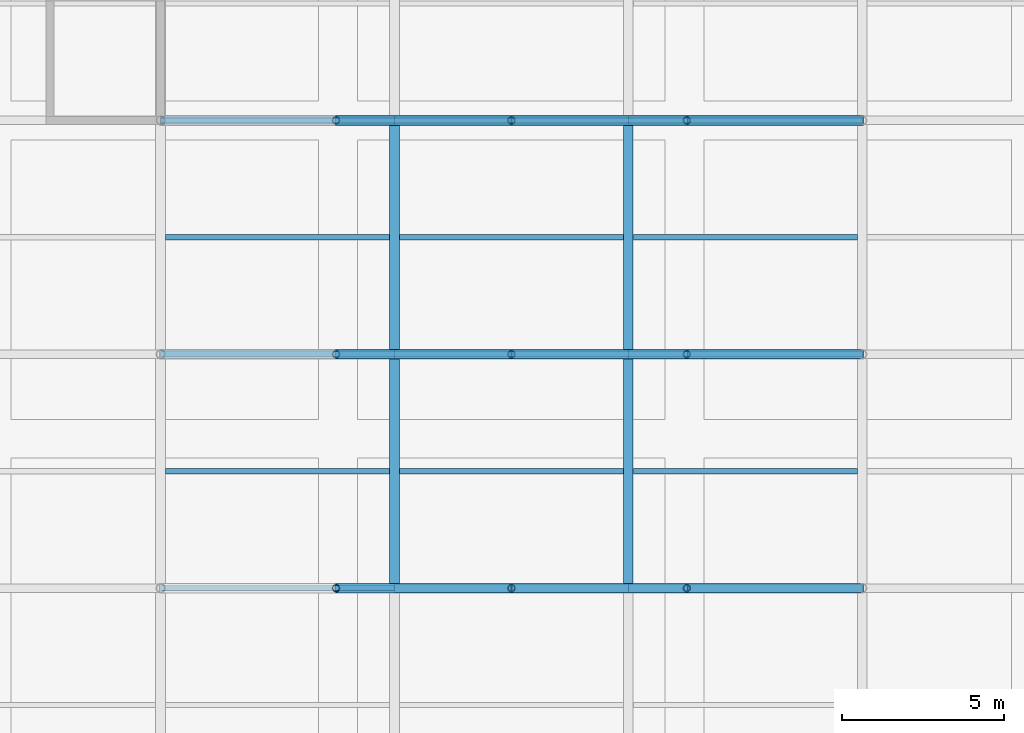
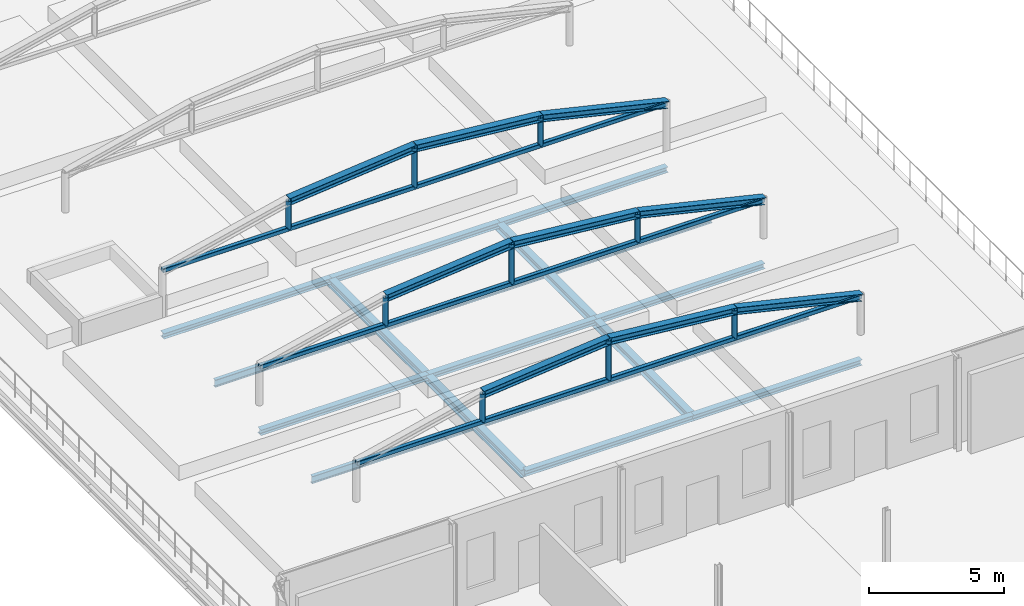
# One storey, part 65 of 126: 21 members, 18 beams.
"""IFC4 building model written with IfcOpenShell, lengths in metres."""

import ifcopenshell
import ifcopenshell.guid

model = None  # the IFC model being written
_history = None  # IfcOwnerHistory: only IFC2X3 demands one
_inside = {}  # id of a spatial element -> (the spatial element, [elements in it])
_under = {}  # id of a project, library or spatial element -> (it, [spatial elements below it])
_declared = {}  # id of a project -> (the project, [libraries it declares])
_typed = {}  # id of a type object -> (the type object, [elements of that type])
_made_of = {}  # id of a material, layer set ... -> (it, [elements and type objects made of it])


def new_model(schema):
    """Start an empty IFC model of exactly this schema.

    Asked for "IFC4X3", IfcOpenShell would pick the latest addendum, in which some entities
    have other attributes; the version numbers below select the first issue.
    IFC2X3 requires an IfcOwnerHistory on every rooted entity: one is made here for all.
    """
    global model, _history
    if schema == "IFC4X3":
        model = ifcopenshell.file(schema_version=(4, 3, 0, 0))
    else:
        model = ifcopenshell.file(schema=schema)
    _inside.clear()
    _under.clear()
    _declared.clear()
    _typed.clear()
    _made_of.clear()
    _history = None
    if model.schema == "IFC2X3":
        org = make("IfcOrganization", Name="unknown")
        user = make(
            "IfcPersonAndOrganization",
            ThePerson=make("IfcPerson", FamilyName="unknown"),
            TheOrganization=org,
        )
        app = make(
            "IfcApplication",
            ApplicationDeveloper=org,
            Version="unknown",
            ApplicationFullName="unknown",
            ApplicationIdentifier="unknown",
        )
        _history = make(
            "IfcOwnerHistory",
            OwningUser=user,
            OwningApplication=app,
            ChangeAction="ADDED",
            CreationDate=0,
        )
    return model


def make(cls, **values):
    """One entity of the class cls with the attributes given. An attribute that is None is left unset."""
    return model.create_entity(
        cls, **{name: value for name, value in values.items() if value is not None}
    )


def rooted(cls, **values):
    """An entity with a GlobalId (a new one), such as an element, a storey or a relation."""
    return make(cls, GlobalId=ifcopenshell.guid.new(), OwnerHistory=_history, **values)


def si_unit(unit_type, name, prefix=None):
    """IfcSIUnit, for example si_unit("LENGTHUNIT", "METRE", prefix="MILLI")."""
    return make("IfcSIUnit", UnitType=unit_type, Prefix=prefix, Name=name)


def assignment(units):
    """IfcUnitAssignment: the units of a project."""
    return None if units is None else make("IfcUnitAssignment", Units=units)


def point(xyz):
    """IfcCartesianPoint."""
    return None if xyz is None else make("IfcCartesianPoint", Coordinates=xyz)


def direction(xyz):
    """IfcDirection."""
    return None if xyz is None else make("IfcDirection", DirectionRatios=xyz)


def frame(location, z_axis=None, x_axis=None):
    """IfcAxis2Placement3D, a coordinate frame: its origin and axes. An axis left out is left unset."""
    return make(
        "IfcAxis2Placement3D",
        Location=point(location),
        Axis=direction(z_axis),
        RefDirection=direction(x_axis),
    )


def frame_2d(location, x_axis=None):
    """IfcAxis2Placement2D, a coordinate frame in the plane: its origin and x axis."""
    return make(
        "IfcAxis2Placement2D", Location=point(location), RefDirection=direction(x_axis)
    )


def origin():
    """The frame at (0, 0, 0) with its axes left unset."""
    return frame((0.0, 0.0, 0.0))


def origin_2d():
    """The frame at (0, 0) in the plane with its x axis left unset."""
    return frame_2d((0.0, 0.0))


def place(relative_to, where):
    """IfcLocalPlacement: puts the frame where relative to a parent placement (None: the world)."""
    return make(
        "IfcLocalPlacement", PlacementRelTo=relative_to, RelativePlacement=where
    )


def context(
    kind, dimensions, precision=None, world=None, true_north=None, identifier=None
):
    """IfcGeometricRepresentationContext, for example the 3D "Model" context."""
    return make(
        "IfcGeometricRepresentationContext",
        ContextIdentifier=identifier,
        ContextType=kind,
        CoordinateSpaceDimension=dimensions,
        Precision=precision,
        WorldCoordinateSystem=world,
        TrueNorth=true_north,
    )


def subcontext(parent, identifier, kind, view, scale=None):
    """IfcGeometricRepresentationSubContext, for example "Body" below "Model"."""
    return make(
        "IfcGeometricRepresentationSubContext",
        ContextIdentifier=identifier,
        ContextType=kind,
        ParentContext=parent,
        TargetScale=scale,
        TargetView=view,
    )


def project(units=None, contexts=None):
    """IfcProject with its units and contexts."""
    return rooted(
        "IfcProject",
        Name="project",
        RepresentationContexts=contexts,
        UnitsInContext=assignment(units),
    )


def spatial(cls, under=None, at=None, **own):
    """A site, building, storey or space (cls), placed at a placement, below another one or the project."""
    s = rooted(cls, ObjectPlacement=at, **own)
    if under is not None:
        _under.setdefault(under.id(), (under, []))[1].append(s)
    return s


def profile(cls, at=None, kind="AREA", **sizes):
    """A parametric profile (cls). Its sizes go by their IFC names, for example OverallWidth=200.0."""
    return make(cls, ProfileType=kind, Position=at, **sizes)


def hollow_rectangle(**sizes):
    """IfcRectangleHollowProfileDef."""
    return profile("IfcRectangleHollowProfileDef", **sizes)


def hollow_circle(**sizes):
    """IfcCircleHollowProfileDef."""
    return profile("IfcCircleHollowProfileDef", **sizes)


def i_section(**sizes):
    """IfcIShapeProfileDef."""
    return profile("IfcIShapeProfileDef", **sizes)


def extrude(swept, where, along, depth):
    """IfcExtrudedAreaSolid: the profile swept, set in the frame where, extruded along a direction by depth."""
    return make(
        "IfcExtrudedAreaSolid",
        SweptArea=swept,
        Position=where,
        ExtrudedDirection=direction(along),
        Depth=depth,
    )


def shape(context_of_items, identifier, shape_type, items):
    """IfcShapeRepresentation: the items that make up one representation, for example the "Body"."""
    return make(
        "IfcShapeRepresentation",
        ContextOfItems=context_of_items,
        RepresentationIdentifier=identifier,
        RepresentationType=shape_type,
        Items=items,
    )


def material(Name=None, Category=None):
    """IfcMaterial."""
    return make("IfcMaterial", Name=Name, Category=Category)


def material_profile(
    of_material, cross_section, Name=None, Category=None, Priority=None
):
    """IfcMaterialProfile: a cross section and its material."""
    return make(
        "IfcMaterialProfile",
        Name=Name,
        Material=of_material,
        Profile=cross_section,
        Priority=Priority,
        Category=Category,
    )


def profile_set(profiles, Name=None, composite=None):
    """IfcMaterialProfileSet."""
    return make(
        "IfcMaterialProfileSet",
        Name=Name,
        MaterialProfiles=profiles,
        CompositeProfile=composite,
    )


def made_of(thing, what):
    """Note that an element or type object is made of a material, layer set ...; save() writes the relation."""
    if what is not None:
        _made_of.setdefault(what.id(), (what, []))[1].append(thing)
    return thing


def type_object(cls, material=None, **own):
    """A type object (cls), such as IfcWallType, which elements share."""
    return made_of(rooted(cls, **own), material)


def element(
    cls,
    number,
    at=None,
    inside=None,
    cuts=None,
    type_object=None,
    material=None,
    context=None,
    identifier="Body",
    shape_type=None,
    held_by="IfcProductDefinitionShape",
    body=None,
    shapes=None,
    **own,
):
    """One element of the class cls, such as IfcWall. Its Tag is "e" and its number.

    at: its placement. inside: the storey or other place that contains it. cuts: it is an
    opening in that element (IfcRelVoidsElement). A single representation is given by context,
    identifier, shape_type and body (its items); several are given by shapes. held_by: the class
    of the entity that holds the representations. save() writes the other relations.
    """
    e = rooted(cls, Tag="e%d" % number, ObjectPlacement=at, **own)
    if body is not None:
        shapes = [shape(context, identifier, shape_type, body)]
    if shapes is not None:
        e.Representation = make(held_by, Representations=shapes)
    if inside is not None:
        _inside.setdefault(inside.id(), (inside, []))[1].append(e)
    if cuts is not None:
        rooted(
            "IfcRelVoidsElement", RelatingBuildingElement=cuts, RelatedOpeningElement=e
        )
    if type_object is not None:
        _typed.setdefault(type_object.id(), (type_object, []))[1].append(e)
    return made_of(e, material)


def aggregate(whole, parts):
    """IfcRelAggregates: a whole, such as a stair, and the parts it consists of."""
    return rooted("IfcRelAggregates", RelatingObject=whole, RelatedObjects=parts)


def save(model, path):
    """Write the relations noted so far, then the file.

    IfcRelAggregates (storeys below a building ...), IfcRelContainedInSpatialStructure (elements
    in a storey), IfcRelDefinesByType, IfcRelAssociatesMaterial and IfcRelDeclares: one each for
    every whole, place, type object, material and project.
    """
    for whole, parts in _under.values():
        aggregate(whole, parts)
    for where, things in _inside.values():
        rooted(
            "IfcRelContainedInSpatialStructure",
            RelatedElements=things,
            RelatingStructure=where,
        )
    for kind, things in _typed.values():
        rooted("IfcRelDefinesByType", RelatedObjects=things, RelatingType=kind)
    for what, things in _made_of.values():
        rooted("IfcRelAssociatesMaterial", RelatedObjects=things, RelatingMaterial=what)
    for by, libraries in _declared.values():
        rooted("IfcRelDeclares", RelatingContext=by, RelatedDefinitions=libraries)
    model.write(path)


model = new_model("IFC4")

# Units and contexts
model_context = context("Model", 3, precision=1e-05, world=origin(), true_north=direction((0.0, 1.0)))
body_context = subcontext(model_context, "Body", "Model", "MODEL_VIEW")
ifc_project = project(units=[si_unit("LENGTHUNIT", "METRE"), si_unit("AREAUNIT", "SQUARE_METRE"), si_unit("VOLUMEUNIT", "CUBIC_METRE"), si_unit("PLANEANGLEUNIT", "RADIAN"), si_unit("MASSUNIT", "GRAM", prefix="KILO")], contexts=[model_context])

# Site, building, storey
site_placement = place(None, origin())
site = spatial("IfcSite", under=ifc_project, at=site_placement, CompositionType="ELEMENT")
building_placement = place(site_placement, origin())
building = spatial("IfcBuilding", under=site, at=building_placement, Name="Zlatovets Crest Museum", CompositionType="ELEMENT")
storey_placement = place(building_placement, frame((0.0, 0.0, 8.699951171875)))
storey = spatial("IfcBuildingStorey", under=building, at=storey_placement, Name="L02", CompositionType="ELEMENT", Elevation=8.699951171875)

# Beams
ifc_material = material(Name="Structural steel S355J2", Category="steel")
ifc_material_profile_1 = material_profile(ifc_material, i_section(OverallWidth=0.300048828125, OverallDepth=0.35009765625, WebThickness=0.010009765625, FlangeThickness=0.017578125, FilletRadius=0.027099609375, at=origin_2d()), Name="HEA 360")
ifc_profile_set_1 = profile_set([ifc_material_profile_1], Name="Structural steel S355J2")
beam_type_1 = type_object("IfcBeamType", Name="Beam_B-03", PredefinedType="BEAM", material=ifc_profile_set_1)
for number, where, z_axis, x_axis, name in (
    (1, (144.0, 64.800048828125, -0.39501953125), (0.0, 1.0, 0.0), (-1.0, 0.0, 0.0), "V5 L02 Grid Beam B-03"),
    (2, (144.0, 72.0, -0.39501953125), (0.0, 1.0, 0.0), (-1.0, 0.0, 0.0), "V5 L02 Grid Beam B-03"),
    (3, (151.199951171875, 64.800048828125, -0.39501953125), (0.0, 1.0, 0.0), (-1.0, 0.0, 0.0), "V5 L02 Grid Beam B-03"),
    (4, (151.199951171875, 72.0, -0.39501953125), (0.0, 1.0, 0.0), (-1.0, 0.0, 0.0), "V5 L02 Grid Beam B-03"),
):
    element("IfcBeam", number, at=place(storey_placement, frame(where, z_axis=z_axis, x_axis=x_axis)), inside=storey, type_object=beam_type_1, Name=name, PredefinedType="BEAM", context=body_context, shape_type="SweptSolid", body=[
        extrude(i_section(OverallWidth=0.300048828125, OverallDepth=0.35009765625, WebThickness=0.010009765625, FlangeThickness=0.017578125, FilletRadius=0.027099609375, at=origin_2d()), origin(), (0.0, 0.0, 1.0), 7.199951171875),
    ])
ifc_material_profile_2 = material_profile(ifc_material, i_section(OverallWidth=0.260009765625, OverallDepth=0.25, WebThickness=0.007568359375, FlangeThickness=0.012451171875, FilletRadius=0.02392578125, at=origin_2d()), Name="HEA 260")
ifc_profile_set_2 = profile_set([ifc_material_profile_2], Name="Structural steel S355J2")
beam_type_2 = type_object("IfcBeamType", Name="Beam_B-13", PredefinedType="BEAM", material=ifc_profile_set_2)
for number, where, z_axis, x_axis, name in (
    (5, (144.0, 64.800048828125, -0.344970703125), (1.0, 0.0, 0.0), (0.0, 1.0, 0.0), "V5 L02 Primary Girder B-13"),
    (6, (151.199951171875, 64.800048828125, -0.344970703125), (1.0, 0.0, 0.0), (0.0, 1.0, 0.0), "V5 L02 Primary Girder B-13"),
    (7, (136.800048828125, 72.0, -0.344970703125), (1.0, 0.0, 0.0), (0.0, 1.0, 0.0), "V5 L02 Primary Girder B-13"),
    (8, (144.0, 72.0, -0.344970703125), (1.0, 0.0, 0.0), (0.0, 1.0, 0.0), "V5 L02 Primary Girder B-13"),
    (9, (151.199951171875, 72.0, -0.344970703125), (1.0, 0.0, 0.0), (0.0, 1.0, 0.0), "V5 L02 Primary Girder B-13"),
    (10, (136.800048828125, 79.199951171875, -0.344970703125), (1.0, 0.0, 0.0), (0.0, 1.0, 0.0), "V5 L02 Primary Girder B-13"),
    (11, (144.0, 79.199951171875, -0.344970703125), (1.0, 0.0, 0.0), (0.0, 1.0, 0.0), "V5 L02 Primary Girder B-13"),
    (12, (151.199951171875, 79.199951171875, -0.344970703125), (1.0, 0.0, 0.0), (0.0, 1.0, 0.0), "V5 L02 Primary Girder B-13"),
):
    element("IfcBeam", number, at=place(storey_placement, frame(where, z_axis=z_axis, x_axis=x_axis)), inside=storey, type_object=beam_type_2, Name=name, PredefinedType="BEAM", context=body_context, shape_type="SweptSolid", body=[
        extrude(i_section(OverallWidth=0.260009765625, OverallDepth=0.25, WebThickness=0.007568359375, FlangeThickness=0.012451171875, FilletRadius=0.02392578125, at=origin_2d()), origin(), (0.0, 0.0, 1.0), 7.199951171875),
    ])
ifc_material_profile_3 = material_profile(ifc_material, i_section(OverallWidth=0.159912109375, OverallDepth=0.330078125, WebThickness=0.007568359375, FlangeThickness=0.011474609375, FilletRadius=0.01806640625, at=origin_2d()), Name="IPE 330")
ifc_profile_set_3 = profile_set([ifc_material_profile_3], Name="Structural steel S355J2")
beam_type_3 = type_object("IfcBeamType", Name="Beam_J-09", PredefinedType="JOIST", material=ifc_profile_set_3)
for number, where, z_axis, x_axis, name in (
    (13, (136.949951171875, 68.39990234375, -0.385009765625), (1.0, 0.0, 0.0), (0.0, 1.0, 0.0), "V5 L02 Composite Joist J-09"),
    (14, (136.949951171875, 75.60009765625, -0.385009765625), (1.0, 0.0, 0.0), (0.0, 1.0, 0.0), "V5 L02 Composite Joist J-09"),
    (15, (144.14990234375, 68.39990234375, -0.385009765625), (1.0, 0.0, 0.0), (0.0, 1.0, 0.0), "V5 L02 Composite Joist J-09"),
    (16, (144.14990234375, 75.60009765625, -0.385009765625), (1.0, 0.0, 0.0), (0.0, 1.0, 0.0), "V5 L02 Composite Joist J-09"),
):
    element("IfcBeam", number, at=place(storey_placement, frame(where, z_axis=z_axis, x_axis=x_axis)), inside=storey, type_object=beam_type_3, Name=name, PredefinedType="JOIST", context=body_context, shape_type="SweptSolid", body=[
        extrude(i_section(OverallWidth=0.159912109375, OverallDepth=0.330078125, WebThickness=0.007568359375, FlangeThickness=0.011474609375, FilletRadius=0.01806640625, at=origin_2d()), origin(), (0.0, 0.0, 1.0), 6.900146484375),
    ])
for number, where, z_axis, x_axis, name in (
    (17, (151.35009765625, 68.39990234375, -0.385009765625), (1.0, 0.0, 0.0), (0.0, 1.0, 0.0), "V5 L02 Composite Joist J-09"),
    (18, (151.35009765625, 75.60009765625, -0.385009765625), (1.0, 0.0, 0.0), (0.0, 1.0, 0.0), "V5 L02 Composite Joist J-09"),
):
    element("IfcBeam", number, at=place(storey_placement, frame(where, z_axis=z_axis, x_axis=x_axis)), inside=storey, type_object=beam_type_3, Name=name, PredefinedType="JOIST", context=body_context, shape_type="SweptSolid", body=[
        extrude(i_section(OverallWidth=0.159912109375, OverallDepth=0.330078125, WebThickness=0.007568359375, FlangeThickness=0.011474609375, FilletRadius=0.01806640625, at=origin_2d()), origin(), (0.0, 0.0, 1.0), 6.89990234375),
    ])

# Members
ifc_material_profile_4 = material_profile(ifc_material, i_section(OverallWidth=0.300048828125, OverallDepth=0.31005859375, WebThickness=0.009033203125, FlangeThickness=0.015380859375, FilletRadius=0.027099609375, at=origin_2d()), Name="HEA 320")
ifc_profile_set_4 = profile_set([ifc_material_profile_4], Name="Structural steel S355J2")
member_type_1 = type_object("IfcMemberType", Name="Member_TM-02", PredefinedType="RAFTER", material=ifc_profile_set_4)
member_1_placement = place(storey_placement, frame((142.199951171875, 64.800048828125, 3.872802734375), z_axis=(0.995265720695, 0.0, 0.097191281554), x_axis=(0.0, 1.0, 0.0)))
element("IfcMember", 19, at=member_1_placement, inside=storey, type_object=member_type_1, Name="Art Nouveau Botanical Pergola Arch", PredefinedType="RAFTER", context=body_context, shape_type="SweptSolid", body=[
    extrude(i_section(OverallWidth=0.300048828125, OverallDepth=0.31005859375, WebThickness=0.009033203125, FlangeThickness=0.015380859375, FilletRadius=0.027099609375, at=origin_2d()), origin(), (0.0, 0.0, 1.0), 5.42578125),
])
member_2_placement = place(storey_placement, frame((147.60009765625, 64.800048828125, 4.400146484375), z_axis=(0.995265295628, 0.0, -0.09719563426), x_axis=(0.0, 1.0, 0.0)))
element("IfcMember", 20, at=member_2_placement, inside=storey, type_object=member_type_1, Name="Art Nouveau Botanical Pergola Arch", PredefinedType="RAFTER", context=body_context, shape_type="SweptSolid", body=[
    extrude(i_section(OverallWidth=0.300048828125, OverallDepth=0.31005859375, WebThickness=0.009033203125, FlangeThickness=0.015380859375, FilletRadius=0.027099609375, at=origin_2d()), origin(), (0.0, 0.0, 1.0), 5.425537109375),
])
member_3_placement = place(storey_placement, frame((153.0, 64.800048828125, 3.872802734375), z_axis=(0.973331107108, 0.0, -0.229404786208), x_axis=(0.0, 1.0, 0.0)))
element("IfcMember", 21, at=member_3_placement, inside=storey, type_object=member_type_1, Name="Art Nouveau Botanical Pergola Arch", PredefinedType="RAFTER", context=body_context, shape_type="SweptSolid", body=[
    extrude(i_section(OverallWidth=0.300048828125, OverallDepth=0.31005859375, WebThickness=0.009033203125, FlangeThickness=0.015380859375, FilletRadius=0.027099609375, at=origin_2d()), origin(), (0.0, 0.0, 1.0), 5.5478515625),
])
member_4_placement = place(storey_placement, frame((142.199951171875, 72.0, 3.872802734375), z_axis=(0.995265720695, 0.0, 0.097191281554), x_axis=(0.0, 1.0, 0.0)))
element("IfcMember", 22, at=member_4_placement, inside=storey, type_object=member_type_1, Name="Art Nouveau Botanical Pergola Arch", PredefinedType="RAFTER", context=body_context, shape_type="SweptSolid", body=[
    extrude(i_section(OverallWidth=0.300048828125, OverallDepth=0.31005859375, WebThickness=0.009033203125, FlangeThickness=0.015380859375, FilletRadius=0.027099609375, at=origin_2d()), origin(), (0.0, 0.0, 1.0), 5.42578125),
])
member_5_placement = place(storey_placement, frame((147.60009765625, 72.0, 4.400146484375), z_axis=(0.995265295628, 0.0, -0.09719563426), x_axis=(0.0, 1.0, 0.0)))
element("IfcMember", 23, at=member_5_placement, inside=storey, type_object=member_type_1, Name="Art Nouveau Botanical Pergola Arch", PredefinedType="RAFTER", context=body_context, shape_type="SweptSolid", body=[
    extrude(i_section(OverallWidth=0.300048828125, OverallDepth=0.31005859375, WebThickness=0.009033203125, FlangeThickness=0.015380859375, FilletRadius=0.027099609375, at=origin_2d()), origin(), (0.0, 0.0, 1.0), 5.425537109375),
])
member_6_placement = place(storey_placement, frame((153.0, 72.0, 3.872802734375), z_axis=(0.973331107108, 0.0, -0.229404786208), x_axis=(0.0, 1.0, 0.0)))
element("IfcMember", 24, at=member_6_placement, inside=storey, type_object=member_type_1, Name="Art Nouveau Botanical Pergola Arch", PredefinedType="RAFTER", context=body_context, shape_type="SweptSolid", body=[
    extrude(i_section(OverallWidth=0.300048828125, OverallDepth=0.31005859375, WebThickness=0.009033203125, FlangeThickness=0.015380859375, FilletRadius=0.027099609375, at=origin_2d()), origin(), (0.0, 0.0, 1.0), 5.5478515625),
])
member_7_placement = place(storey_placement, frame((142.199951171875, 79.199951171875, 3.872802734375), z_axis=(0.995265720695, 0.0, 0.097191281554), x_axis=(0.0, 1.0, 0.0)))
element("IfcMember", 25, at=member_7_placement, inside=storey, type_object=member_type_1, Name="Art Nouveau Botanical Pergola Arch", PredefinedType="RAFTER", context=body_context, shape_type="SweptSolid", body=[
    extrude(i_section(OverallWidth=0.300048828125, OverallDepth=0.31005859375, WebThickness=0.009033203125, FlangeThickness=0.015380859375, FilletRadius=0.027099609375, at=origin_2d()), origin(), (0.0, 0.0, 1.0), 5.42578125),
])
member_8_placement = place(storey_placement, frame((147.60009765625, 79.199951171875, 4.400146484375), z_axis=(0.995265295628, 0.0, -0.09719563426), x_axis=(0.0, 1.0, 0.0)))
element("IfcMember", 26, at=member_8_placement, inside=storey, type_object=member_type_1, Name="Art Nouveau Botanical Pergola Arch", PredefinedType="RAFTER", context=body_context, shape_type="SweptSolid", body=[
    extrude(i_section(OverallWidth=0.300048828125, OverallDepth=0.31005859375, WebThickness=0.009033203125, FlangeThickness=0.015380859375, FilletRadius=0.027099609375, at=origin_2d()), origin(), (0.0, 0.0, 1.0), 5.425537109375),
])
member_9_placement = place(storey_placement, frame((153.0, 79.199951171875, 3.872802734375), z_axis=(0.973331107108, 0.0, -0.229404786208), x_axis=(0.0, 1.0, 0.0)))
element("IfcMember", 27, at=member_9_placement, inside=storey, type_object=member_type_1, Name="Art Nouveau Botanical Pergola Arch", PredefinedType="RAFTER", context=body_context, shape_type="SweptSolid", body=[
    extrude(i_section(OverallWidth=0.300048828125, OverallDepth=0.31005859375, WebThickness=0.009033203125, FlangeThickness=0.015380859375, FilletRadius=0.027099609375, at=origin_2d()), origin(), (0.0, 0.0, 1.0), 5.5478515625),
])
ifc_material_profile_5 = material_profile(ifc_material, hollow_rectangle(XDim=0.179931640625, YDim=0.179931640625, WallThickness=0.010009765625, InnerFilletRadius=0.010009765625, OuterFilletRadius=0.02001953125, at=origin_2d()), Name="SHS 180x180x10.0")
ifc_profile_set_5 = profile_set([ifc_material_profile_5], Name="Structural steel S355J2")
member_type_2 = type_object("IfcMemberType", Name="Member_TM-04", PredefinedType="STRUT", material=ifc_profile_set_5)
for number, where, z_axis, x_axis, name in (
    (28, (136.800048828125, 64.800048828125, 2.60009765625), (1.0, 0.0, 0.0), (0.0, 1.0, 0.0), "Botanical Roof-Garden Pergola Tie"),
    (29, (136.800048828125, 72.0, 2.60009765625), (1.0, 0.0, 0.0), (0.0, 1.0, 0.0), "Botanical Roof-Garden Pergola Tie"),
    (30, (136.800048828125, 79.199951171875, 2.60009765625), (1.0, 0.0, 0.0), (0.0, 1.0, 0.0), "Botanical Roof-Garden Pergola Tie"),
):
    element("IfcMember", number, at=place(storey_placement, frame(where, z_axis=z_axis, x_axis=x_axis)), inside=storey, type_object=member_type_2, Name=name, PredefinedType="STRUT", context=body_context, shape_type="SweptSolid", body=[
        extrude(hollow_rectangle(XDim=0.179931640625, YDim=0.179931640625, WallThickness=0.010009765625, InnerFilletRadius=0.010009765625, OuterFilletRadius=0.02001953125, at=origin_2d()), origin(), (0.0, 0.0, 1.0), 21.599853515625),
    ])
ifc_material_profile_6 = material_profile(ifc_material, hollow_circle(Radius=0.109619140625, WallThickness=0.010009765625, at=origin_2d()), Name="CHS 219.1x10.0")
ifc_profile_set_6 = profile_set([ifc_material_profile_6], Name="Structural steel S355J2")
member_type_3 = type_object("IfcMemberType", Name="Member_TM-05", PredefinedType="BRACE", material=ifc_profile_set_6)
member_10_placement = place(storey_placement, frame((142.199951171875, 64.800048828125, 2.60009765625), z_axis=(0.0, 0.0, 1.0), x_axis=(1.0, 0.0, 0.0)))
element("IfcMember", 31, at=member_10_placement, inside=storey, type_object=member_type_3, Name="Art Nouveau Botanical Pergola Web", PredefinedType="BRACE", context=body_context, shape_type="SweptSolid", body=[
    extrude(hollow_circle(Radius=0.109619140625, WallThickness=0.010009765625, at=origin_2d()), origin(), (0.0, 0.0, 1.0), 1.272705078125),
])
member_11_placement = place(storey_placement, frame((147.60009765625, 64.800048828125, 2.60009765625), z_axis=(0.0, 0.0, 1.0), x_axis=(1.0, 0.0, 0.0)))
element("IfcMember", 32, at=member_11_placement, inside=storey, type_object=member_type_3, Name="Art Nouveau Botanical Pergola Web", PredefinedType="BRACE", context=body_context, shape_type="SweptSolid", body=[
    extrude(hollow_circle(Radius=0.109619140625, WallThickness=0.010009765625, at=origin_2d()), origin(), (0.0, 0.0, 1.0), 1.800048828125),
])
for number, where, z_axis, x_axis, name in (
    (33, (153.0, 64.800048828125, 2.60009765625), (0.0, 0.0, 1.0), (1.0, 0.0, 0.0), "Art Nouveau Botanical Pergola Web"),
    (34, (142.199951171875, 72.0, 2.60009765625), (0.0, 0.0, 1.0), (1.0, 0.0, 0.0), "Art Nouveau Botanical Pergola Web"),
):
    element("IfcMember", number, at=place(storey_placement, frame(where, z_axis=z_axis, x_axis=x_axis)), inside=storey, type_object=member_type_3, Name=name, PredefinedType="BRACE", context=body_context, shape_type="SweptSolid", body=[
        extrude(hollow_circle(Radius=0.109619140625, WallThickness=0.010009765625, at=origin_2d()), origin(), (0.0, 0.0, 1.0), 1.272705078125),
    ])
member_12_placement = place(storey_placement, frame((147.60009765625, 72.0, 2.60009765625), z_axis=(0.0, 0.0, 1.0), x_axis=(1.0, 0.0, 0.0)))
element("IfcMember", 35, at=member_12_placement, inside=storey, type_object=member_type_3, Name="Art Nouveau Botanical Pergola Web", PredefinedType="BRACE", context=body_context, shape_type="SweptSolid", body=[
    extrude(hollow_circle(Radius=0.109619140625, WallThickness=0.010009765625, at=origin_2d()), origin(), (0.0, 0.0, 1.0), 1.800048828125),
])
for number, where, z_axis, x_axis, name in (
    (36, (153.0, 72.0, 2.60009765625), (0.0, 0.0, 1.0), (1.0, 0.0, 0.0), "Art Nouveau Botanical Pergola Web"),
    (37, (142.199951171875, 79.199951171875, 2.60009765625), (0.0, 0.0, 1.0), (1.0, 0.0, 0.0), "Art Nouveau Botanical Pergola Web"),
):
    element("IfcMember", number, at=place(storey_placement, frame(where, z_axis=z_axis, x_axis=x_axis)), inside=storey, type_object=member_type_3, Name=name, PredefinedType="BRACE", context=body_context, shape_type="SweptSolid", body=[
        extrude(hollow_circle(Radius=0.109619140625, WallThickness=0.010009765625, at=origin_2d()), origin(), (0.0, 0.0, 1.0), 1.272705078125),
    ])
member_13_placement = place(storey_placement, frame((147.60009765625, 79.199951171875, 2.60009765625), z_axis=(0.0, 0.0, 1.0), x_axis=(1.0, 0.0, 0.0)))
element("IfcMember", 38, at=member_13_placement, inside=storey, type_object=member_type_3, Name="Art Nouveau Botanical Pergola Web", PredefinedType="BRACE", context=body_context, shape_type="SweptSolid", body=[
    extrude(hollow_circle(Radius=0.109619140625, WallThickness=0.010009765625, at=origin_2d()), origin(), (0.0, 0.0, 1.0), 1.800048828125),
])
member_14_placement = place(storey_placement, frame((153.0, 79.199951171875, 2.60009765625), z_axis=(0.0, 0.0, 1.0), x_axis=(1.0, 0.0, 0.0)))
element("IfcMember", 39, at=member_14_placement, inside=storey, type_object=member_type_3, Name="Art Nouveau Botanical Pergola Web", PredefinedType="BRACE", context=body_context, shape_type="SweptSolid", body=[
    extrude(hollow_circle(Radius=0.109619140625, WallThickness=0.010009765625, at=origin_2d()), origin(), (0.0, 0.0, 1.0), 1.272705078125),
])

save(model, "model.ifc")
